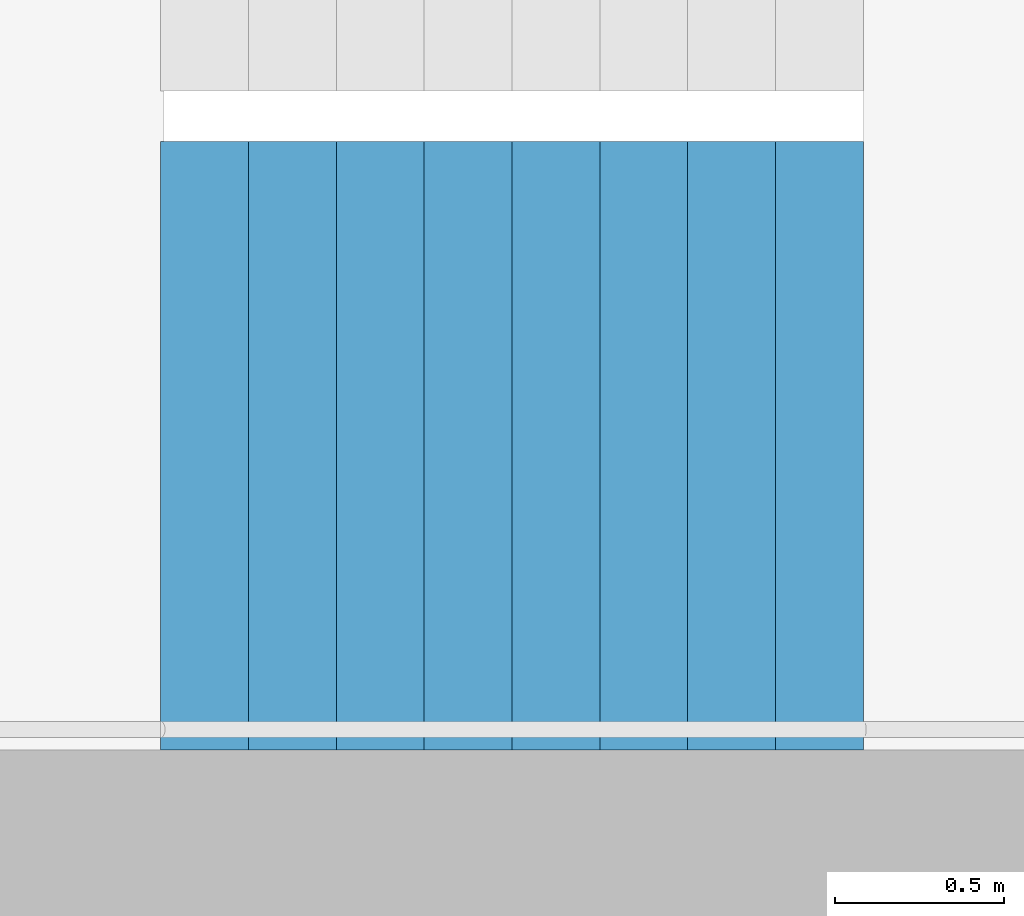
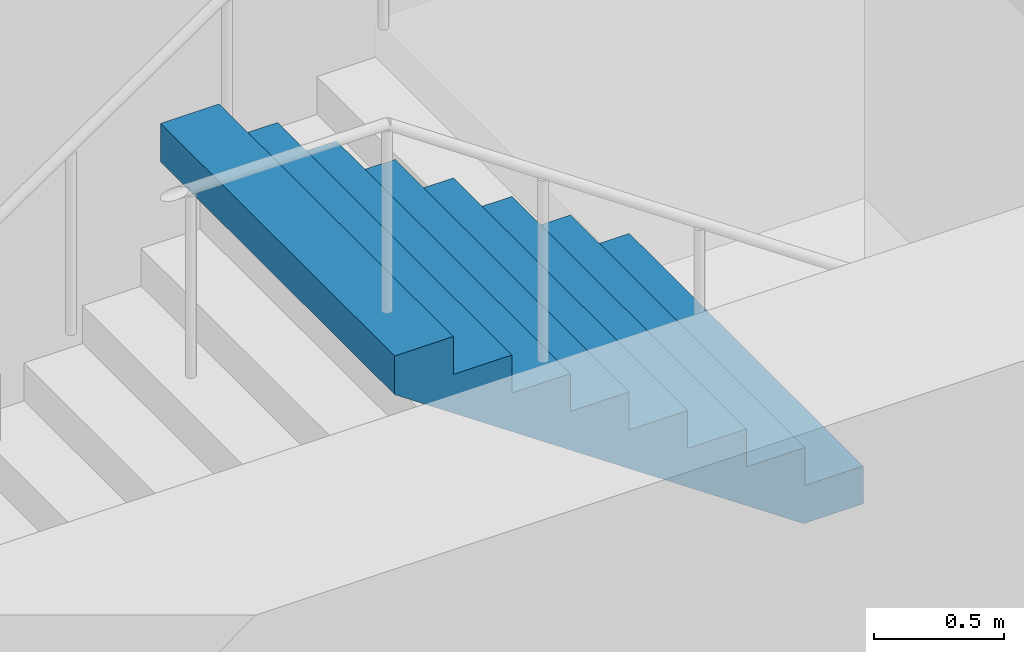
# One storey, part 20 of 29: 1 stair flight, 1 element without a shape of its own.
"""IFC4 building model written with IfcOpenShell, lengths in metres."""

from ifc_helpers import new_model, si_unit, direction, frame, origin, place, context, subcontext, project, spatial, triangles, material, type_object, element, aggregate, save


model = new_model("IFC4")

# Units and contexts
model_context = context("Model", 3, precision=1e-05, world=origin(), true_north=direction((0.0, 1.0)))
body_context = subcontext(model_context, "Body", "Model", "MODEL_VIEW")
ifc_project = project(units=[si_unit("LENGTHUNIT", "METRE"), si_unit("AREAUNIT", "SQUARE_METRE"), si_unit("VOLUMEUNIT", "CUBIC_METRE"), si_unit("PLANEANGLEUNIT", "RADIAN"), si_unit("MASSUNIT", "GRAM", prefix="KILO")], contexts=[model_context])

# Site, building, storey
site_placement = place(None, origin())
site = spatial("IfcSite", under=ifc_project, at=site_placement, CompositionType="ELEMENT")
building_placement = place(site_placement, origin())
building = spatial("IfcBuilding", under=site, at=building_placement, Name="Hakoniwa Tower and Hamabe Station Hall", CompositionType="ELEMENT")
storey_placement = place(building_placement, frame((0.0, 0.0, 163.0)))
storey = spatial("IfcBuildingStorey", under=building, at=storey_placement, Name="L46", CompositionType="ELEMENT", Elevation=163.0)

# Stair, stair flight
ifc_material_1 = material(Name="Concrete C40", Category="concrete")
stair_type = type_object("IfcStairType", Name="ESCAPE STAIR 1800", PredefinedType="HALF_TURN_STAIR", material=ifc_material_1)
stair_placement = place(storey_placement, origin())
stair = element("IfcStair", 1, at=stair_placement, inside=storey, type_object=stair_type, Name="Escape stair ST-4 L46", PredefinedType="HALF_TURN_STAIR")
ifc_material_2 = material(Name="Concrete C40", Category="concrete")
stair_flight_type = type_object("IfcStairFlightType", Name="STAIR FLIGHT 1800", PredefinedType="STRAIGHT", material=ifc_material_2)
stair_flight_placement = place(storey_placement, frame((25.47998046875, -6.60009765625, 1.60009765625), z_axis=(0.0, 0.0, 1.0), x_axis=(-1.0, 0.0, 0.0)))
stair_flight = element("IfcStairFlight", 2, at=stair_flight_placement, type_object=stair_flight_type, Name="ST-4 flight 2", NumberOfRisers=9, NumberOfTreads=8, PredefinedType="STRAIGHT", RiserHeight=0.177777778, TreadLength=0.26, context=body_context, shape_type="Tessellation", body=[
    triangles([(0.0, 0.89990234375, 0.0), (0.260009765625, 0.89990234375, 0.0), (0.265625, 0.89990234375, 0.0), (0.52001953125, 0.89990234375, 0.174072265625), (0.780029296875, 0.89990234375, 0.351806640625), (1.0400390625, 0.89990234375, 0.529541015625), (1.300048828125, 0.89990234375, 0.707275390625), (1.56005859375, 0.89990234375, 0.885009765625), (1.820068359375, 0.89990234375, 1.062744140625), (2.080078125, 0.89990234375, 1.24072265625), (2.080078125, 0.89990234375, 1.422119140625), (1.820068359375, 0.89990234375, 1.422119140625), (1.820068359375, 0.89990234375, 1.244384765625), (1.56005859375, 0.89990234375, 1.244384765625), (1.56005859375, 0.89990234375, 1.066650390625), (1.300048828125, 0.89990234375, 1.066650390625), (1.300048828125, 0.89990234375, 0.888916015625), (1.0400390625, 0.89990234375, 0.888916015625), (1.0400390625, 0.89990234375, 0.711181640625), (0.780029296875, 0.89990234375, 0.711181640625), (0.780029296875, 0.89990234375, 0.533447265625), (0.52001953125, 0.89990234375, 0.533447265625), (0.52001953125, 0.89990234375, 0.35546875), (0.265625, 0.89990234375, 0.35546875), (0.260009765625, 0.89990234375, 0.35546875), (0.260009765625, 0.89990234375, 0.177734375), (0.0, 0.89990234375, 0.177734375), (0.0, 0.06005859375, 0.0), (0.260009765625, 0.06005859375, 0.0), (0.265625, 0.06005859375, 0.0), (0.52001953125, 0.06005859375, 0.174072265625), (0.780029296875, 0.06005859375, 0.351806640625), (1.0400390625, 0.06005859375, 0.529541015625), (1.300048828125, 0.06005859375, 0.707275390625), (1.56005859375, 0.06005859375, 0.885009765625), (1.820068359375, 0.06005859375, 1.062744140625), (2.080078125, 0.06005859375, 1.24072265625), (2.080078125, 0.06005859375, 1.422119140625), (1.820068359375, 0.06005859375, 1.422119140625), (1.820068359375, 0.06005859375, 1.244384765625), (1.56005859375, 0.06005859375, 1.244384765625), (1.56005859375, 0.06005859375, 1.066650390625), (1.300048828125, 0.06005859375, 1.066650390625), (1.300048828125, 0.06005859375, 0.888916015625), (1.0400390625, 0.06005859375, 0.888916015625), (1.0400390625, 0.06005859375, 0.711181640625), (0.780029296875, 0.06005859375, 0.711181640625), (0.780029296875, 0.06005859375, 0.533447265625), (0.52001953125, 0.06005859375, 0.533447265625), (0.52001953125, 0.06005859375, 0.35546875), (0.265625, 0.06005859375, 0.35546875), (0.260009765625, 0.06005859375, 0.35546875), (0.260009765625, 0.06005859375, 0.177734375), (0.0, 0.06005859375, 0.177734375), (0.0, 0.04296875, 0.0), (0.260009765625, 0.04296875, 0.0), (0.265625, 0.04296875, 0.0), (0.52001953125, 0.04296875, 0.174072265625), (0.780029296875, 0.04296875, 0.351806640625), (1.0400390625, 0.04296875, 0.529541015625), (1.300048828125, 0.04296875, 0.707275390625), (1.56005859375, 0.04296875, 0.885009765625), (1.820068359375, 0.04296875, 1.062744140625), (2.080078125, 0.04296875, 1.24072265625), (2.080078125, 0.04296875, 1.422119140625), (1.820068359375, 0.04296875, 1.422119140625), (1.820068359375, 0.04296875, 1.244384765625), (1.56005859375, 0.04296875, 1.244384765625), (1.56005859375, 0.04296875, 1.066650390625), (1.300048828125, 0.04296875, 1.066650390625), (1.300048828125, 0.04296875, 0.888916015625), (1.0400390625, 0.04296875, 0.888916015625), (1.0400390625, 0.04296875, 0.711181640625), (0.780029296875, 0.04296875, 0.711181640625), (0.780029296875, 0.04296875, 0.533447265625), (0.52001953125, 0.04296875, 0.533447265625), (0.52001953125, 0.04296875, 0.35546875), (0.265625, 0.04296875, 0.35546875), (0.260009765625, 0.04296875, 0.35546875), (0.260009765625, 0.04296875, 0.177734375), (0.0, 0.04296875, 0.177734375), (0.0, 0.025634765625, 0.0), (0.260009765625, 0.025634765625, 0.0), (0.265625, 0.025634765625, 0.0), (0.52001953125, 0.025634765625, 0.174072265625), (0.780029296875, 0.025634765625, 0.351806640625), (1.0400390625, 0.025634765625, 0.529541015625), (1.300048828125, 0.025634765625, 0.707275390625), (1.56005859375, 0.025634765625, 0.885009765625), (1.820068359375, 0.025634765625, 1.062744140625), (2.080078125, 0.025634765625, 1.24072265625), (2.080078125, 0.025634765625, 1.422119140625), (1.820068359375, 0.025634765625, 1.422119140625), (1.820068359375, 0.025634765625, 1.244384765625), (1.56005859375, 0.025634765625, 1.244384765625), (1.56005859375, 0.025634765625, 1.066650390625), (1.300048828125, 0.025634765625, 1.066650390625), (1.300048828125, 0.025634765625, 0.888916015625), (1.0400390625, 0.025634765625, 0.888916015625), (1.0400390625, 0.025634765625, 0.711181640625), (0.780029296875, 0.025634765625, 0.711181640625), (0.780029296875, 0.025634765625, 0.533447265625), (0.52001953125, 0.025634765625, 0.533447265625), (0.52001953125, 0.025634765625, 0.35546875), (0.265625, 0.025634765625, 0.35546875), (0.260009765625, 0.025634765625, 0.35546875), (0.260009765625, 0.025634765625, 0.177734375), (0.0, 0.025634765625, 0.177734375), (0.0, 0.008544921875, 0.0), (0.260009765625, 0.008544921875, 0.0), (0.265625, 0.008544921875, 0.0), (0.52001953125, 0.008544921875, 0.174072265625), (0.780029296875, 0.008544921875, 0.351806640625), (1.0400390625, 0.008544921875, 0.529541015625), (1.300048828125, 0.008544921875, 0.707275390625), (1.56005859375, 0.008544921875, 0.885009765625), (1.820068359375, 0.008544921875, 1.062744140625), (2.080078125, 0.008544921875, 1.24072265625), (2.080078125, 0.008544921875, 1.422119140625), (1.820068359375, 0.008544921875, 1.422119140625), (1.820068359375, 0.008544921875, 1.244384765625), (1.56005859375, 0.008544921875, 1.244384765625), (1.56005859375, 0.008544921875, 1.066650390625), (1.300048828125, 0.008544921875, 1.066650390625), (1.300048828125, 0.008544921875, 0.888916015625), (1.0400390625, 0.008544921875, 0.888916015625), (1.0400390625, 0.008544921875, 0.711181640625), (0.780029296875, 0.008544921875, 0.711181640625), (0.780029296875, 0.008544921875, 0.533447265625), (0.52001953125, 0.008544921875, 0.533447265625), (0.52001953125, 0.008544921875, 0.35546875), (0.265625, 0.008544921875, 0.35546875), (0.260009765625, 0.008544921875, 0.35546875), (0.260009765625, 0.008544921875, 0.177734375), (0.0, 0.008544921875, 0.177734375), (0.0, -0.008544921875, 0.0), (0.260009765625, -0.008544921875, 0.0), (0.265625, -0.008544921875, 0.0), (0.52001953125, -0.008544921875, 0.174072265625), (0.780029296875, -0.008544921875, 0.351806640625), (1.0400390625, -0.008544921875, 0.529541015625), (1.300048828125, -0.008544921875, 0.707275390625), (1.56005859375, -0.008544921875, 0.885009765625), (1.820068359375, -0.008544921875, 1.062744140625), (2.080078125, -0.008544921875, 1.24072265625), (2.080078125, -0.008544921875, 1.422119140625), (1.820068359375, -0.008544921875, 1.422119140625), (1.820068359375, -0.008544921875, 1.244384765625), (1.56005859375, -0.008544921875, 1.244384765625), (1.56005859375, -0.008544921875, 1.066650390625), (1.300048828125, -0.008544921875, 1.066650390625), (1.300048828125, -0.008544921875, 0.888916015625), (1.0400390625, -0.008544921875, 0.888916015625), (1.0400390625, -0.008544921875, 0.711181640625), (0.780029296875, -0.008544921875, 0.711181640625), (0.780029296875, -0.008544921875, 0.533447265625), (0.52001953125, -0.008544921875, 0.533447265625), (0.52001953125, -0.008544921875, 0.35546875), (0.265625, -0.008544921875, 0.35546875), (0.260009765625, -0.008544921875, 0.35546875), (0.260009765625, -0.008544921875, 0.177734375), (0.0, -0.008544921875, 0.177734375), (0.0, -0.025634765625, 0.0), (0.260009765625, -0.025634765625, 0.0), (0.265625, -0.025634765625, 0.0), (0.52001953125, -0.025634765625, 0.174072265625), (0.780029296875, -0.025634765625, 0.351806640625), (1.0400390625, -0.025634765625, 0.529541015625), (1.300048828125, -0.025634765625, 0.707275390625), (1.56005859375, -0.025634765625, 0.885009765625), (1.820068359375, -0.025634765625, 1.062744140625), (2.080078125, -0.025634765625, 1.24072265625), (2.080078125, -0.025634765625, 1.422119140625), (1.820068359375, -0.025634765625, 1.422119140625), (1.820068359375, -0.025634765625, 1.244384765625), (1.56005859375, -0.025634765625, 1.244384765625), (1.56005859375, -0.025634765625, 1.066650390625), (1.300048828125, -0.025634765625, 1.066650390625), (1.300048828125, -0.025634765625, 0.888916015625), (1.0400390625, -0.025634765625, 0.888916015625), (1.0400390625, -0.025634765625, 0.711181640625), (0.780029296875, -0.025634765625, 0.711181640625), (0.780029296875, -0.025634765625, 0.533447265625), (0.52001953125, -0.025634765625, 0.533447265625), (0.52001953125, -0.025634765625, 0.35546875), (0.265625, -0.025634765625, 0.35546875), (0.260009765625, -0.025634765625, 0.35546875), (0.260009765625, -0.025634765625, 0.177734375), (0.0, -0.025634765625, 0.177734375), (0.0, -0.04296875, 0.0), (0.260009765625, -0.04296875, 0.0), (0.265625, -0.04296875, 0.0), (0.52001953125, -0.04296875, 0.174072265625), (0.780029296875, -0.04296875, 0.351806640625), (1.0400390625, -0.04296875, 0.529541015625), (1.300048828125, -0.04296875, 0.707275390625), (1.56005859375, -0.04296875, 0.885009765625), (1.820068359375, -0.04296875, 1.062744140625), (2.080078125, -0.04296875, 1.24072265625), (2.080078125, -0.04296875, 1.422119140625), (1.820068359375, -0.04296875, 1.422119140625), (1.820068359375, -0.04296875, 1.244384765625), (1.56005859375, -0.04296875, 1.244384765625), (1.56005859375, -0.04296875, 1.066650390625), (1.300048828125, -0.04296875, 1.066650390625), (1.300048828125, -0.04296875, 0.888916015625), (1.0400390625, -0.04296875, 0.888916015625), (1.0400390625, -0.04296875, 0.711181640625), (0.780029296875, -0.04296875, 0.711181640625), (0.780029296875, -0.04296875, 0.533447265625), (0.52001953125, -0.04296875, 0.533447265625), (0.52001953125, -0.04296875, 0.35546875), (0.265625, -0.04296875, 0.35546875), (0.260009765625, -0.04296875, 0.35546875), (0.260009765625, -0.04296875, 0.177734375), (0.0, -0.04296875, 0.177734375), (0.0, -0.06005859375, 0.0), (0.260009765625, -0.06005859375, 0.0), (0.265625, -0.06005859375, 0.0), (0.52001953125, -0.06005859375, 0.174072265625), (0.780029296875, -0.06005859375, 0.351806640625), (1.0400390625, -0.06005859375, 0.529541015625), (1.300048828125, -0.06005859375, 0.707275390625), (1.56005859375, -0.06005859375, 0.885009765625), (1.820068359375, -0.06005859375, 1.062744140625), (2.080078125, -0.06005859375, 1.24072265625), (2.080078125, -0.06005859375, 1.422119140625), (1.820068359375, -0.06005859375, 1.422119140625), (1.820068359375, -0.06005859375, 1.244384765625), (1.56005859375, -0.06005859375, 1.244384765625), (1.56005859375, -0.06005859375, 1.066650390625), (1.300048828125, -0.06005859375, 1.066650390625), (1.300048828125, -0.06005859375, 0.888916015625), (1.0400390625, -0.06005859375, 0.888916015625), (1.0400390625, -0.06005859375, 0.711181640625), (0.780029296875, -0.06005859375, 0.711181640625), (0.780029296875, -0.06005859375, 0.533447265625), (0.52001953125, -0.06005859375, 0.533447265625), (0.52001953125, -0.06005859375, 0.35546875), (0.265625, -0.06005859375, 0.35546875), (0.260009765625, -0.06005859375, 0.35546875), (0.260009765625, -0.06005859375, 0.177734375), (0.0, -0.06005859375, 0.177734375), (0.0, -0.89990234375, 0.0), (0.260009765625, -0.89990234375, 0.0), (0.265625, -0.89990234375, 0.0), (0.52001953125, -0.89990234375, 0.174072265625), (0.780029296875, -0.89990234375, 0.351806640625), (1.0400390625, -0.89990234375, 0.529541015625), (1.300048828125, -0.89990234375, 0.707275390625), (1.56005859375, -0.89990234375, 0.885009765625), (1.820068359375, -0.89990234375, 1.062744140625), (2.080078125, -0.89990234375, 1.24072265625), (2.080078125, -0.89990234375, 1.422119140625), (1.820068359375, -0.89990234375, 1.422119140625), (1.820068359375, -0.89990234375, 1.244384765625), (1.56005859375, -0.89990234375, 1.244384765625), (1.56005859375, -0.89990234375, 1.066650390625), (1.300048828125, -0.89990234375, 1.066650390625), (1.300048828125, -0.89990234375, 0.888916015625), (1.0400390625, -0.89990234375, 0.888916015625), (1.0400390625, -0.89990234375, 0.711181640625), (0.780029296875, -0.89990234375, 0.711181640625), (0.780029296875, -0.89990234375, 0.533447265625), (0.52001953125, -0.89990234375, 0.533447265625), (0.52001953125, -0.89990234375, 0.35546875), (0.265625, -0.89990234375, 0.35546875), (0.260009765625, -0.89990234375, 0.35546875), (0.260009765625, -0.89990234375, 0.177734375), (0.0, -0.89990234375, 0.177734375)], [[2, 27, 26], [245, 269, 270], [2, 1, 27], [245, 270, 244], [3, 25, 24], [246, 267, 268], [3, 26, 25], [246, 268, 269], [3, 2, 26], [246, 269, 245], [4, 24, 23], [247, 266, 267], [4, 3, 24], [247, 267, 246], [5, 22, 21], [248, 264, 265], [5, 23, 22], [248, 265, 266], [5, 4, 23], [248, 266, 247], [6, 20, 19], [249, 262, 263], [6, 21, 20], [249, 263, 264], [6, 5, 21], [249, 264, 248], [7, 18, 17], [250, 260, 261], [7, 19, 18], [250, 261, 262], [7, 6, 19], [250, 262, 249], [8, 16, 15], [251, 258, 259], [8, 17, 16], [251, 259, 260], [8, 7, 17], [251, 260, 250], [9, 14, 13], [252, 256, 257], [9, 15, 14], [252, 257, 258], [9, 8, 15], [252, 258, 251], [10, 12, 11], [253, 254, 255], [10, 13, 12], [253, 255, 256], [10, 9, 13], [253, 256, 252], [1, 2, 29], [1, 29, 28], [28, 29, 56], [28, 56, 55], [55, 56, 83], [55, 83, 82], [82, 83, 110], [82, 110, 109], [109, 110, 137], [109, 137, 136], [136, 137, 164], [136, 164, 163], [163, 164, 191], [163, 191, 190], [190, 191, 218], [190, 218, 217], [217, 218, 245], [217, 245, 244], [2, 3, 30], [2, 30, 29], [29, 30, 57], [29, 57, 56], [56, 57, 84], [56, 84, 83], [83, 84, 111], [83, 111, 110], [110, 111, 138], [110, 138, 137], [137, 138, 165], [137, 165, 164], [164, 165, 192], [164, 192, 191], [191, 192, 219], [191, 219, 218], [218, 219, 246], [218, 246, 245], [3, 4, 31], [3, 31, 30], [30, 31, 58], [30, 58, 57], [57, 58, 85], [57, 85, 84], [84, 85, 112], [84, 112, 111], [111, 112, 139], [111, 139, 138], [138, 139, 166], [138, 166, 165], [165, 166, 193], [165, 193, 192], [192, 193, 220], [192, 220, 219], [219, 220, 247], [219, 247, 246], [4, 5, 32], [4, 32, 31], [31, 32, 59], [31, 59, 58], [58, 59, 86], [58, 86, 85], [85, 86, 113], [85, 113, 112], [112, 113, 140], [112, 140, 139], [139, 140, 167], [139, 167, 166], [166, 167, 194], [166, 194, 193], [193, 194, 221], [193, 221, 220], [220, 221, 248], [220, 248, 247], [5, 6, 33], [5, 33, 32], [32, 33, 60], [32, 60, 59], [59, 60, 87], [59, 87, 86], [86, 87, 114], [86, 114, 113], [113, 114, 141], [113, 141, 140], [140, 141, 168], [140, 168, 167], [167, 168, 195], [167, 195, 194], [194, 195, 222], [194, 222, 221], [221, 222, 249], [221, 249, 248], [6, 7, 34], [6, 34, 33], [33, 34, 61], [33, 61, 60], [60, 61, 88], [60, 88, 87], [87, 88, 115], [87, 115, 114], [114, 115, 142], [114, 142, 141], [141, 142, 169], [141, 169, 168], [168, 169, 196], [168, 196, 195], [195, 196, 223], [195, 223, 222], [222, 223, 250], [222, 250, 249], [7, 8, 35], [7, 35, 34], [34, 35, 62], [34, 62, 61], [61, 62, 89], [61, 89, 88], [88, 89, 116], [88, 116, 115], [115, 116, 143], [115, 143, 142], [142, 143, 170], [142, 170, 169], [169, 170, 197], [169, 197, 196], [196, 197, 224], [196, 224, 223], [223, 224, 251], [223, 251, 250], [8, 9, 36], [8, 36, 35], [35, 36, 63], [35, 63, 62], [62, 63, 90], [62, 90, 89], [89, 90, 117], [89, 117, 116], [116, 117, 144], [116, 144, 143], [143, 144, 171], [143, 171, 170], [170, 171, 198], [170, 198, 197], [197, 198, 225], [197, 225, 224], [224, 225, 252], [224, 252, 251], [9, 10, 37], [9, 37, 36], [36, 37, 64], [36, 64, 63], [63, 64, 91], [63, 91, 90], [90, 91, 118], [90, 118, 117], [117, 118, 145], [117, 145, 144], [144, 145, 172], [144, 172, 171], [171, 172, 199], [171, 199, 198], [198, 199, 226], [198, 226, 225], [225, 226, 253], [225, 253, 252], [10, 11, 38], [10, 38, 37], [37, 38, 65], [37, 65, 64], [64, 65, 92], [64, 92, 91], [91, 92, 119], [91, 119, 118], [118, 119, 146], [118, 146, 145], [145, 146, 173], [145, 173, 172], [172, 173, 200], [172, 200, 199], [199, 200, 227], [199, 227, 226], [226, 227, 254], [226, 254, 253], [11, 12, 39], [11, 39, 38], [38, 39, 66], [38, 66, 65], [65, 66, 93], [65, 93, 92], [92, 93, 120], [92, 120, 119], [119, 120, 147], [119, 147, 146], [146, 147, 174], [146, 174, 173], [173, 174, 201], [173, 201, 200], [200, 201, 228], [200, 228, 227], [227, 228, 255], [227, 255, 254], [12, 13, 40], [12, 40, 39], [39, 40, 67], [39, 67, 66], [66, 67, 94], [66, 94, 93], [93, 94, 121], [93, 121, 120], [120, 121, 148], [120, 148, 147], [147, 148, 175], [147, 175, 174], [174, 175, 202], [174, 202, 201], [201, 202, 229], [201, 229, 228], [228, 229, 256], [228, 256, 255], [13, 14, 41], [13, 41, 40], [40, 41, 68], [40, 68, 67], [67, 68, 95], [67, 95, 94], [94, 95, 122], [94, 122, 121], [121, 122, 149], [121, 149, 148], [148, 149, 176], [148, 176, 175], [175, 176, 203], [175, 203, 202], [202, 203, 230], [202, 230, 229], [229, 230, 257], [229, 257, 256], [14, 15, 42], [14, 42, 41], [41, 42, 69], [41, 69, 68], [68, 69, 96], [68, 96, 95], [95, 96, 123], [95, 123, 122], [122, 123, 150], [122, 150, 149], [149, 150, 177], [149, 177, 176], [176, 177, 204], [176, 204, 203], [203, 204, 231], [203, 231, 230], [230, 231, 258], [230, 258, 257], [15, 16, 43], [15, 43, 42], [42, 43, 70], [42, 70, 69], [69, 70, 97], [69, 97, 96], [96, 97, 124], [96, 124, 123], [123, 124, 151], [123, 151, 150], [150, 151, 178], [150, 178, 177], [177, 178, 205], [177, 205, 204], [204, 205, 232], [204, 232, 231], [231, 232, 259], [231, 259, 258], [16, 17, 44], [16, 44, 43], [43, 44, 71], [43, 71, 70], [70, 71, 98], [70, 98, 97], [97, 98, 125], [97, 125, 124], [124, 125, 152], [124, 152, 151], [151, 152, 179], [151, 179, 178], [178, 179, 206], [178, 206, 205], [205, 206, 233], [205, 233, 232], [232, 233, 260], [232, 260, 259], [17, 18, 45], [17, 45, 44], [44, 45, 72], [44, 72, 71], [71, 72, 99], [71, 99, 98], [98, 99, 126], [98, 126, 125], [125, 126, 153], [125, 153, 152], [152, 153, 180], [152, 180, 179], [179, 180, 207], [179, 207, 206], [206, 207, 234], [206, 234, 233], [233, 234, 261], [233, 261, 260], [18, 19, 46], [18, 46, 45], [45, 46, 73], [45, 73, 72], [72, 73, 100], [72, 100, 99], [99, 100, 127], [99, 127, 126], [126, 127, 154], [126, 154, 153], [153, 154, 181], [153, 181, 180], [180, 181, 208], [180, 208, 207], [207, 208, 235], [207, 235, 234], [234, 235, 262], [234, 262, 261], [19, 20, 47], [19, 47, 46], [46, 47, 74], [46, 74, 73], [73, 74, 101], [73, 101, 100], [100, 101, 128], [100, 128, 127], [127, 128, 155], [127, 155, 154], [154, 155, 182], [154, 182, 181], [181, 182, 209], [181, 209, 208], [208, 209, 236], [208, 236, 235], [235, 236, 263], [235, 263, 262], [20, 21, 48], [20, 48, 47], [47, 48, 75], [47, 75, 74], [74, 75, 102], [74, 102, 101], [101, 102, 129], [101, 129, 128], [128, 129, 156], [128, 156, 155], [155, 156, 183], [155, 183, 182], [182, 183, 210], [182, 210, 209], [209, 210, 237], [209, 237, 236], [236, 237, 264], [236, 264, 263], [21, 22, 49], [21, 49, 48], [48, 49, 76], [48, 76, 75], [75, 76, 103], [75, 103, 102], [102, 103, 130], [102, 130, 129], [129, 130, 157], [129, 157, 156], [156, 157, 184], [156, 184, 183], [183, 184, 211], [183, 211, 210], [210, 211, 238], [210, 238, 237], [237, 238, 265], [237, 265, 264], [22, 23, 50], [22, 50, 49], [49, 50, 77], [49, 77, 76], [76, 77, 104], [76, 104, 103], [103, 104, 131], [103, 131, 130], [130, 131, 158], [130, 158, 157], [157, 158, 185], [157, 185, 184], [184, 185, 212], [184, 212, 211], [211, 212, 239], [211, 239, 238], [238, 239, 266], [238, 266, 265], [23, 24, 51], [23, 51, 50], [50, 51, 78], [50, 78, 77], [77, 78, 105], [77, 105, 104], [104, 105, 132], [104, 132, 131], [131, 132, 159], [131, 159, 158], [158, 159, 186], [158, 186, 185], [185, 186, 213], [185, 213, 212], [212, 213, 240], [212, 240, 239], [239, 240, 267], [239, 267, 266], [24, 25, 52], [24, 52, 51], [51, 52, 79], [51, 79, 78], [78, 79, 106], [78, 106, 105], [105, 106, 133], [105, 133, 132], [132, 133, 160], [132, 160, 159], [159, 160, 187], [159, 187, 186], [186, 187, 214], [186, 214, 213], [213, 214, 241], [213, 241, 240], [240, 241, 268], [240, 268, 267], [25, 26, 53], [25, 53, 52], [52, 53, 80], [52, 80, 79], [79, 80, 107], [79, 107, 106], [106, 107, 134], [106, 134, 133], [133, 134, 161], [133, 161, 160], [160, 161, 188], [160, 188, 187], [187, 188, 215], [187, 215, 214], [214, 215, 242], [214, 242, 241], [241, 242, 269], [241, 269, 268], [26, 27, 54], [26, 54, 53], [53, 54, 81], [53, 81, 80], [80, 81, 108], [80, 108, 107], [107, 108, 135], [107, 135, 134], [134, 135, 162], [134, 162, 161], [161, 162, 189], [161, 189, 188], [188, 189, 216], [188, 216, 215], [215, 216, 243], [215, 243, 242], [242, 243, 270], [242, 270, 269], [27, 1, 28], [27, 28, 54], [54, 28, 55], [54, 55, 81], [81, 55, 82], [81, 82, 108], [108, 82, 109], [108, 109, 135], [135, 109, 136], [135, 136, 162], [162, 136, 163], [162, 163, 189], [189, 163, 190], [189, 190, 216], [216, 190, 217], [216, 217, 243], [243, 217, 244], [243, 244, 270]], closed=True),
])
aggregate(stair, [stair_flight])

save(model, "model.ifc")
